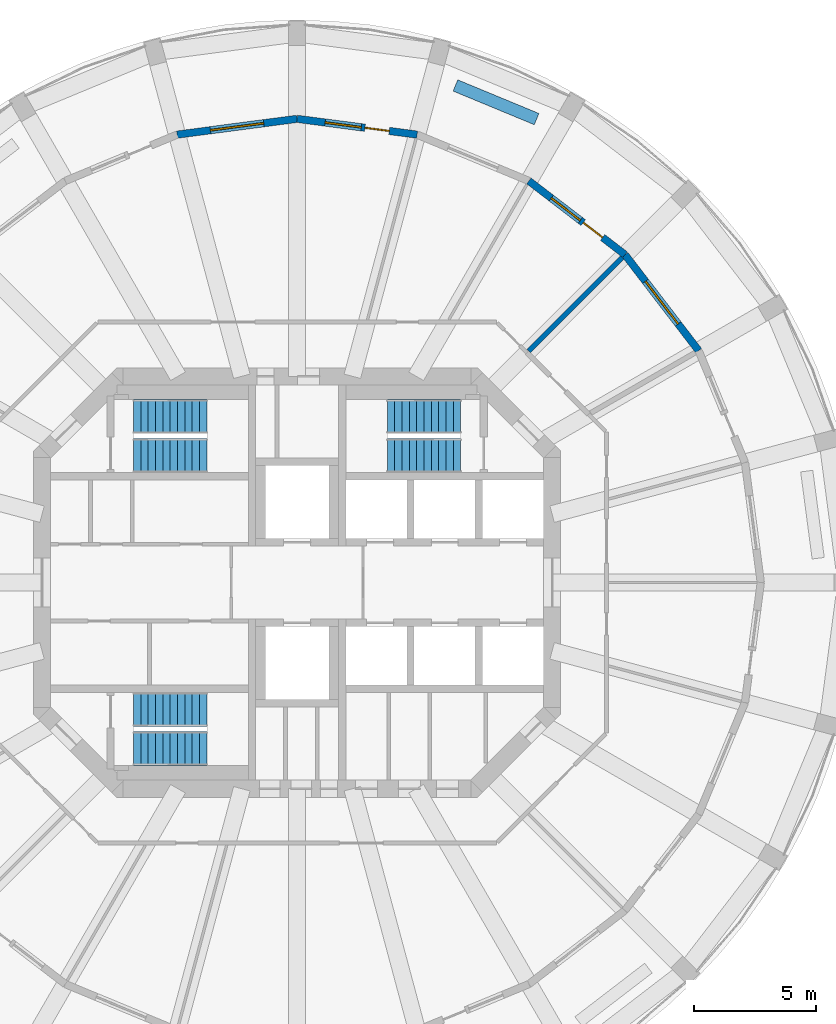
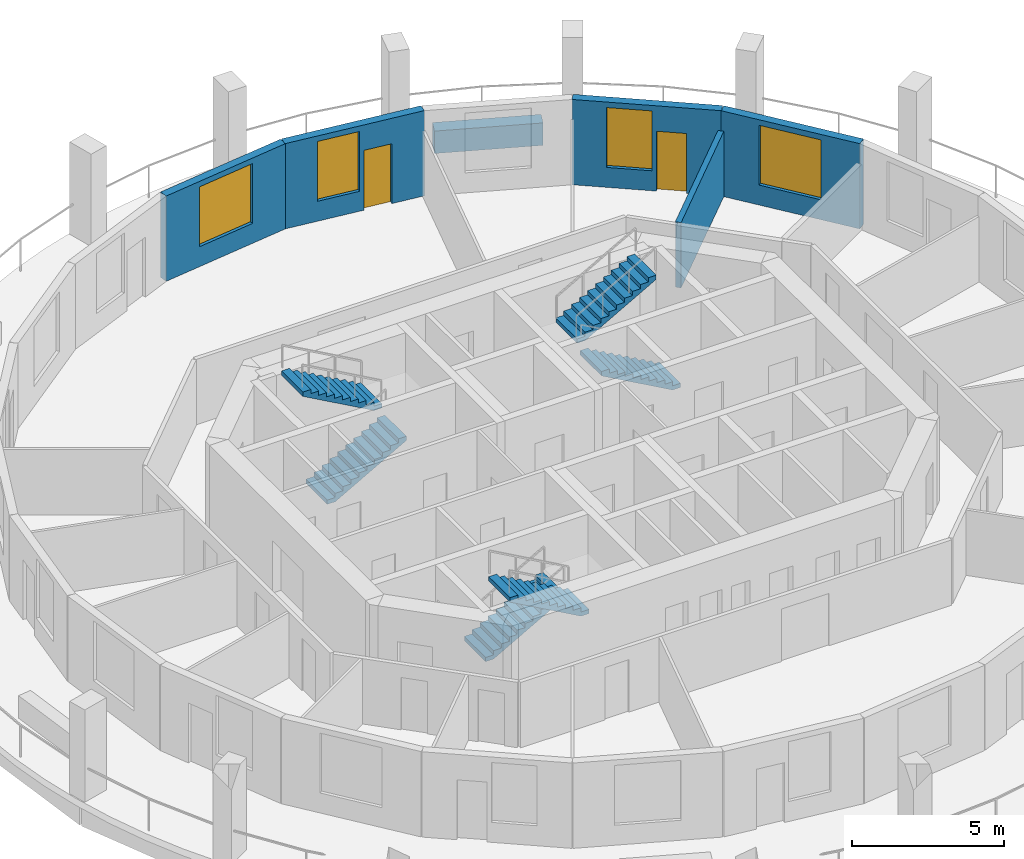
# One storey, part 7 of 9: 6 stair flights, 6 walls, 4 windows, 2 doors, 6 openings, 3 elements without a shape of their own.
"""IFC4 building model written with IfcOpenShell, lengths in metres."""

import ifcopenshell
import ifcopenshell.guid

model = None  # the IFC model being written
_history = None  # IfcOwnerHistory: only IFC2X3 demands one
_inside = {}  # id of a spatial element -> (the spatial element, [elements in it])
_under = {}  # id of a project, library or spatial element -> (it, [spatial elements below it])
_declared = {}  # id of a project -> (the project, [libraries it declares])
_typed = {}  # id of a type object -> (the type object, [elements of that type])
_made_of = {}  # id of a material, layer set ... -> (it, [elements and type objects made of it])


def new_model(schema):
    """Start an empty IFC model of exactly this schema.

    Asked for "IFC4X3", IfcOpenShell would pick the latest addendum, in which some entities
    have other attributes; the version numbers below select the first issue.
    IFC2X3 requires an IfcOwnerHistory on every rooted entity: one is made here for all.
    """
    global model, _history
    if schema == "IFC4X3":
        model = ifcopenshell.file(schema_version=(4, 3, 0, 0))
    else:
        model = ifcopenshell.file(schema=schema)
    _inside.clear()
    _under.clear()
    _declared.clear()
    _typed.clear()
    _made_of.clear()
    _history = None
    if model.schema == "IFC2X3":
        org = make("IfcOrganization", Name="unknown")
        user = make(
            "IfcPersonAndOrganization",
            ThePerson=make("IfcPerson", FamilyName="unknown"),
            TheOrganization=org,
        )
        app = make(
            "IfcApplication",
            ApplicationDeveloper=org,
            Version="unknown",
            ApplicationFullName="unknown",
            ApplicationIdentifier="unknown",
        )
        _history = make(
            "IfcOwnerHistory",
            OwningUser=user,
            OwningApplication=app,
            ChangeAction="ADDED",
            CreationDate=0,
        )
    return model


def make(cls, **values):
    """One entity of the class cls with the attributes given. An attribute that is None is left unset."""
    return model.create_entity(
        cls, **{name: value for name, value in values.items() if value is not None}
    )


def rooted(cls, **values):
    """An entity with a GlobalId (a new one), such as an element, a storey or a relation."""
    return make(cls, GlobalId=ifcopenshell.guid.new(), OwnerHistory=_history, **values)


def si_unit(unit_type, name, prefix=None):
    """IfcSIUnit, for example si_unit("LENGTHUNIT", "METRE", prefix="MILLI")."""
    return make("IfcSIUnit", UnitType=unit_type, Prefix=prefix, Name=name)


def assignment(units):
    """IfcUnitAssignment: the units of a project."""
    return None if units is None else make("IfcUnitAssignment", Units=units)


def point(xyz):
    """IfcCartesianPoint."""
    return None if xyz is None else make("IfcCartesianPoint", Coordinates=xyz)


def direction(xyz):
    """IfcDirection."""
    return None if xyz is None else make("IfcDirection", DirectionRatios=xyz)


def frame(location, z_axis=None, x_axis=None):
    """IfcAxis2Placement3D, a coordinate frame: its origin and axes. An axis left out is left unset."""
    return make(
        "IfcAxis2Placement3D",
        Location=point(location),
        Axis=direction(z_axis),
        RefDirection=direction(x_axis),
    )


def frame_2d(location, x_axis=None):
    """IfcAxis2Placement2D, a coordinate frame in the plane: its origin and x axis."""
    return make(
        "IfcAxis2Placement2D", Location=point(location), RefDirection=direction(x_axis)
    )


def origin():
    """The frame at (0, 0, 0) with its axes left unset."""
    return frame((0.0, 0.0, 0.0))


def place(relative_to, where):
    """IfcLocalPlacement: puts the frame where relative to a parent placement (None: the world)."""
    return make(
        "IfcLocalPlacement", PlacementRelTo=relative_to, RelativePlacement=where
    )


def context(
    kind, dimensions, precision=None, world=None, true_north=None, identifier=None
):
    """IfcGeometricRepresentationContext, for example the 3D "Model" context."""
    return make(
        "IfcGeometricRepresentationContext",
        ContextIdentifier=identifier,
        ContextType=kind,
        CoordinateSpaceDimension=dimensions,
        Precision=precision,
        WorldCoordinateSystem=world,
        TrueNorth=true_north,
    )


def subcontext(parent, identifier, kind, view, scale=None):
    """IfcGeometricRepresentationSubContext, for example "Body" below "Model"."""
    return make(
        "IfcGeometricRepresentationSubContext",
        ContextIdentifier=identifier,
        ContextType=kind,
        ParentContext=parent,
        TargetScale=scale,
        TargetView=view,
    )


def project(units=None, contexts=None):
    """IfcProject with its units and contexts."""
    return rooted(
        "IfcProject",
        Name="project",
        RepresentationContexts=contexts,
        UnitsInContext=assignment(units),
    )


def spatial(cls, under=None, at=None, **own):
    """A site, building, storey or space (cls), placed at a placement, below another one or the project."""
    s = rooted(cls, ObjectPlacement=at, **own)
    if under is not None:
        _under.setdefault(under.id(), (under, []))[1].append(s)
    return s


def polyline(points):
    """IfcPolyline through the points."""
    return make("IfcPolyline", Points=[point(p) for p in points])


def profile(cls, at=None, kind="AREA", **sizes):
    """A parametric profile (cls). Its sizes go by their IFC names, for example OverallWidth=200.0."""
    return make(cls, ProfileType=kind, Position=at, **sizes)


def rectangle(**sizes):
    """IfcRectangleProfileDef."""
    return profile("IfcRectangleProfileDef", **sizes)


def outline(outer, holes=None, kind="AREA"):
    """IfcArbitraryClosedProfileDef: a profile drawn as a closed curve; with holes, ...WithVoids."""
    if holes is None:
        return make("IfcArbitraryClosedProfileDef", ProfileType=kind, OuterCurve=outer)
    return make(
        "IfcArbitraryProfileDefWithVoids",
        ProfileType=kind,
        OuterCurve=outer,
        InnerCurves=holes,
    )


def extrude(swept, where, along, depth):
    """IfcExtrudedAreaSolid: the profile swept, set in the frame where, extruded along a direction by depth."""
    return make(
        "IfcExtrudedAreaSolid",
        SweptArea=swept,
        Position=where,
        ExtrudedDirection=direction(along),
        Depth=depth,
    )


def shape(context_of_items, identifier, shape_type, items):
    """IfcShapeRepresentation: the items that make up one representation, for example the "Body"."""
    return make(
        "IfcShapeRepresentation",
        ContextOfItems=context_of_items,
        RepresentationIdentifier=identifier,
        RepresentationType=shape_type,
        Items=items,
    )


def material(Name=None, Category=None):
    """IfcMaterial."""
    return make("IfcMaterial", Name=Name, Category=Category)


def layer(
    of_material, thickness, ventilated=None, Name=None, Category=None, Priority=None
):
    """IfcMaterialLayer: one layer of a wall or slab, of a material (None: an air gap)."""
    return make(
        "IfcMaterialLayer",
        Material=of_material,
        LayerThickness=thickness,
        IsVentilated=ventilated,
        Name=Name,
        Category=Category,
        Priority=Priority,
    )


def layer_set(layers, Name=None):
    """IfcMaterialLayerSet."""
    return make("IfcMaterialLayerSet", MaterialLayers=layers, LayerSetName=Name)


def made_of(thing, what):
    """Note that an element or type object is made of a material, layer set ...; save() writes the relation."""
    if what is not None:
        _made_of.setdefault(what.id(), (what, []))[1].append(thing)
    return thing


def type_object(cls, material=None, **own):
    """A type object (cls), such as IfcWallType, which elements share."""
    return made_of(rooted(cls, **own), material)


def element(
    cls,
    number,
    at=None,
    inside=None,
    cuts=None,
    type_object=None,
    material=None,
    context=None,
    identifier="Body",
    shape_type=None,
    held_by="IfcProductDefinitionShape",
    body=None,
    shapes=None,
    **own,
):
    """One element of the class cls, such as IfcWall. Its Tag is "e" and its number.

    at: its placement. inside: the storey or other place that contains it. cuts: it is an
    opening in that element (IfcRelVoidsElement). A single representation is given by context,
    identifier, shape_type and body (its items); several are given by shapes. held_by: the class
    of the entity that holds the representations. save() writes the other relations.
    """
    e = rooted(cls, Tag="e%d" % number, ObjectPlacement=at, **own)
    if body is not None:
        shapes = [shape(context, identifier, shape_type, body)]
    if shapes is not None:
        e.Representation = make(held_by, Representations=shapes)
    if inside is not None:
        _inside.setdefault(inside.id(), (inside, []))[1].append(e)
    if cuts is not None:
        rooted(
            "IfcRelVoidsElement", RelatingBuildingElement=cuts, RelatedOpeningElement=e
        )
    if type_object is not None:
        _typed.setdefault(type_object.id(), (type_object, []))[1].append(e)
    return made_of(e, material)


def fill(opening, filler):
    """IfcRelFillsElement: the door or window that sits in an opening."""
    return rooted(
        "IfcRelFillsElement",
        RelatingOpeningElement=opening,
        RelatedBuildingElement=filler,
    )


def aggregate(whole, parts):
    """IfcRelAggregates: a whole, such as a stair, and the parts it consists of."""
    return rooted("IfcRelAggregates", RelatingObject=whole, RelatedObjects=parts)


def save(model, path):
    """Write the relations noted so far, then the file.

    IfcRelAggregates (storeys below a building ...), IfcRelContainedInSpatialStructure (elements
    in a storey), IfcRelDefinesByType, IfcRelAssociatesMaterial and IfcRelDeclares: one each for
    every whole, place, type object, material and project.
    """
    for whole, parts in _under.values():
        aggregate(whole, parts)
    for where, things in _inside.values():
        rooted(
            "IfcRelContainedInSpatialStructure",
            RelatedElements=things,
            RelatingStructure=where,
        )
    for kind, things in _typed.values():
        rooted("IfcRelDefinesByType", RelatedObjects=things, RelatingType=kind)
    for what, things in _made_of.values():
        rooted("IfcRelAssociatesMaterial", RelatedObjects=things, RelatingMaterial=what)
    for by, libraries in _declared.values():
        rooted("IfcRelDeclares", RelatingContext=by, RelatedDefinitions=libraries)
    model.write(path)


model = new_model("IFC4")

# Units and contexts
model_context = context("Model", 3, precision=1e-05, world=origin(), true_north=direction((0.0, 1.0)))
body_context = subcontext(model_context, "Body", "Model", "MODEL_VIEW")
ifc_project = project(units=[si_unit("LENGTHUNIT", "METRE"), si_unit("AREAUNIT", "SQUARE_METRE"), si_unit("VOLUMEUNIT", "CUBIC_METRE"), si_unit("PLANEANGLEUNIT", "RADIAN"), si_unit("MASSUNIT", "GRAM", prefix="KILO")], contexts=[model_context])

# Site, building, storey
site_placement = place(None, origin())
site = spatial("IfcSite", under=ifc_project, at=site_placement, CompositionType="ELEMENT")
building_placement = place(site_placement, origin())
building = spatial("IfcBuilding", under=site, at=building_placement, Name="Torre Triforio", CompositionType="ELEMENT")
storey_placement = place(building_placement, frame((0.0, 0.0, 165.300048828125)))
storey = spatial("IfcBuildingStorey", under=building, at=storey_placement, Name="L37", CompositionType="ELEMENT", Elevation=165.300048828125)

# Walls
ifc_material_1 = material(Name="Masonry block", Category="masonry")
ifc_layer_1 = layer(ifc_material_1, 0.199951171875)
ifc_layer_set_1 = layer_set([ifc_layer_1], Name="Masonry block")
wall_type_1 = type_object("IfcWallType", Name="Plant room wall 200 mm block EI 120", PredefinedType="PARTITIONING", material=ifc_layer_set_1)
wall_1_placement = place(storey_placement, frame((9.491455078125, 9.491455078125, 0.0), z_axis=(0.0, 0.0, 1.0), x_axis=(0.707106781187, 0.707106781187, 0.0)))
element("IfcWall", 1, at=wall_1_placement, inside=storey, type_object=wall_type_1, Name="Partition 14", PredefinedType="PARTITIONING", context=body_context, shape_type="SweptSolid", body=[
    extrude(rectangle(XDim=5.413818359375, YDim=0.199951171875, at=frame_2d((2.70703125, 0.0))), origin(), (0.0, 0.0, 1.0), 2.619873046875),
])
ifc_material_2 = material(Name="Limestone cladding", Category="masonry")
ifc_layer_2 = layer(ifc_material_2, 0.10009765625)
ifc_material_3 = material(Name="Concrete C40", Category="concrete")
ifc_layer_3 = layer(ifc_material_3, 0.39990234375)
ifc_layer_set_2 = layer_set([ifc_layer_2, ifc_layer_3], Name="Limestone cladding / Concrete C40")
wall_type_2 = type_object("IfcWallType", Name="Planter wall 500", PredefinedType="PARAPET", material=ifc_layer_set_2)
wall_2_placement = place(storey_placement, frame((9.814208984375, 18.98974609375, 0.0), z_axis=(0.0, 0.0, 1.0), x_axis=(-0.923875488976, 0.382693194178, 0.0)))
element("IfcWall", 2, at=wall_2_placement, inside=storey, type_object=wall_type_2, Name="Planter L37 bay 05", PredefinedType="PARAPET", context=body_context, shape_type="SweptSolid", body=[
    extrude(rectangle(XDim=3.599853515625, YDim=0.5, at=frame_2d((1.7998046875, 0.0))), origin(), (0.0, 0.0, 1.0), 0.89990234375),
])

# Wall, opening, window
ifc_layer_4 = layer(ifc_material_2, 0.10009765625)
ifc_layer_5 = layer(ifc_material_3, 0.199951171875)
ifc_layer_set_3 = layer_set([ifc_layer_4, ifc_layer_5], Name="Limestone cladding / Concrete C40")
wall_type_3 = type_object("IfcWallType", Name="Stone-faced composite wall 300", PredefinedType="STANDARD", material=ifc_layer_set_3)
wall_3_placement = place(storey_placement, frame((16.45458984375, 9.5, 0.0), z_axis=(0.0, 0.0, 1.0), x_axis=(-0.608768356425, 0.793348024649, 0.0)))
wall_3 = element("IfcWall", 3, at=wall_3_placement, inside=storey, type_object=wall_type_3, Name="External wall L37 bay 03", PredefinedType="STANDARD", context=body_context, shape_type="SweptSolid", body=[
    extrude(rectangle(XDim=4.9599609375, YDim=0.300048828125, at=frame_2d((2.47998046875, 0.0))), origin(), (0.0, 0.0, 1.0), 3.419921875),
])
opening_1_placement = place(wall_3_placement, frame((1.3798828125, 0.0, 0.800048828125)))
opening_1 = element("IfcOpeningElement", 4, at=opening_1_placement, cuts=wall_3, Name="Opening O2-W03", PredefinedType="OPENING", context=body_context, shape_type="SweptSolid", body=[
    extrude(rectangle(XDim=2.199951171875, YDim=2.39990234375, at=frame_2d((1.10009765625, 1.199951171875))), frame((0.0, 0.159912109375, 0.0), z_axis=(0.0, -1.0, 0.0), x_axis=(1.0, 0.0, 0.0)), (0.0, 0.0, 1.0), 0.320068359375),
])
ifc_material_4 = material(Name="Aluminium frame with clear double glazing", Category="aluminium")
window_type_1 = type_object("IfcWindowType", Name="Punched window 2200 x 2400", PartitioningType="DOUBLE_PANEL_VERTICAL", PredefinedType="WINDOW", material=ifc_material_4)
window_1_placement = place(opening_1_placement, origin())
window_1 = element("IfcWindow", 5, at=window_1_placement, inside=storey, type_object=window_type_1, Name="Window EWN5 L37 bay 03", OverallHeight=2.39990234375, OverallWidth=2.199951171875, PartitioningType="SINGLE_PANEL", PredefinedType="WINDOW", context=body_context, shape_type="SweptSolid", body=[
    extrude(rectangle(XDim=2.199951171875, YDim=2.39990234375, at=frame_2d((1.10009765625, 1.199951171875))), frame((0.0, 0.030029296875, 0.0), z_axis=(0.0, -1.0, 0.0), x_axis=(1.0, 0.0, 0.0)), (0.0, 0.0, 1.0), 0.06005859375),
])
fill(opening_1, window_1)

# Wall, openings, door, window
wall_4_placement = place(storey_placement, frame((13.43505859375, 13.43505859375, 0.0), z_axis=(0.0, 0.0, 1.0), x_axis=(-0.793348024649, 0.608768356425, 0.0)))
wall_4 = element("IfcWall", 6, at=wall_4_placement, inside=storey, type_object=wall_type_3, Name="External wall L37 bay 04", PredefinedType="STANDARD", context=body_context, shape_type="SweptSolid", body=[
    extrude(rectangle(XDim=4.9599609375, YDim=0.300048828125, at=frame_2d((2.47998046875, 0.0))), origin(), (0.0, 0.0, 1.0), 3.419921875),
])
opening_2_placement = place(wall_4_placement, frame((1.155029296875, 0.0, 0.0)))
opening_2 = element("IfcOpeningElement", 7, at=opening_2_placement, cuts=wall_4, Name="Opening O2-D04", PredefinedType="OPENING", context=body_context, shape_type="SweptSolid", body=[
    extrude(rectangle(XDim=1.0, YDim=2.39990234375, at=frame_2d((0.5, 1.199951171875))), frame((0.0, 0.159912109375, 0.0), z_axis=(0.0, -1.0, 0.0), x_axis=(1.0, 0.0, 0.0)), (0.0, 0.0, 1.0), 0.320068359375),
])
opening_3_placement = place(wall_4_placement, frame((2.304931640625, 0.0, 0.800048828125)))
opening_3 = element("IfcOpeningElement", 8, at=opening_3_placement, cuts=wall_4, Name="Opening O2-W04A", PredefinedType="OPENING", context=body_context, shape_type="SweptSolid", body=[
    extrude(rectangle(XDim=1.5, YDim=2.39990234375, at=frame_2d((0.75, 1.199951171875))), frame((0.0, 0.159912109375, 0.0), z_axis=(0.0, -1.0, 0.0), x_axis=(1.0, 0.0, 0.0)), (0.0, 0.0, 1.0), 0.320068359375),
])
door_type = type_object("IfcDoorType", Name="Loggia door 1000 x 2400", OperationType="NOTDEFINED", PredefinedType="DOOR", material=ifc_material_4)
door_1_placement = place(opening_2_placement, origin())
door_1 = element("IfcDoor", 9, at=door_1_placement, inside=storey, type_object=door_type, Name="Loggia door L37 bay 04", OperationType="SINGLE_SWING_LEFT", OverallHeight=2.39990234375, OverallWidth=1.0, PredefinedType="DOOR", context=body_context, shape_type="SweptSolid", body=[
    extrude(rectangle(XDim=1.0, YDim=2.39990234375, at=frame_2d((0.5, 1.199951171875))), frame((0.0, 0.02490234375, 0.0), z_axis=(0.0, -1.0, 0.0), x_axis=(1.0, 0.0, 0.0)), (0.0, 0.0, 1.0), 0.050048828125),
])
fill(opening_2, door_1)
window_type_2 = type_object("IfcWindowType", Name="Side window 1500 x 2400", PartitioningType="SINGLE_PANEL", PredefinedType="WINDOW", material=ifc_material_4)
window_2_placement = place(opening_3_placement, origin())
window_2 = element("IfcWindow", 10, at=window_2_placement, inside=storey, type_object=window_type_2, Name="Side window EWN14 L37 bay 04", OverallHeight=2.39990234375, OverallWidth=1.5, PartitioningType="SINGLE_PANEL", PredefinedType="WINDOW", context=body_context, shape_type="SweptSolid", body=[
    extrude(rectangle(XDim=1.5, YDim=2.39990234375, at=frame_2d((0.75, 1.199951171875))), frame((0.0, 0.030029296875, 0.0), z_axis=(0.0, -1.0, 0.0), x_axis=(1.0, 0.0, 0.0)), (0.0, 0.0, 1.0), 0.06005859375),
])
fill(opening_3, window_2)

wall_5_placement = place(storey_placement, frame((4.91748046875, 18.3525390625, 0.0), z_axis=(0.0, 0.0, 1.0), x_axis=(-0.991443234469, 0.130538549191, 0.0)))
wall_5 = element("IfcWall", 11, at=wall_5_placement, inside=storey, type_object=wall_type_3, Name="External wall L37 bay 06", PredefinedType="STANDARD", context=body_context, shape_type="SweptSolid", body=[
    extrude(rectangle(XDim=4.9599609375, YDim=0.300048828125, at=frame_2d((2.47998046875, 0.0))), origin(), (0.0, 0.0, 1.0), 3.419921875),
])
opening_4_placement = place(wall_5_placement, frame((1.155029296875, 0.0, 0.0)))
opening_4 = element("IfcOpeningElement", 12, at=opening_4_placement, cuts=wall_5, Name="Opening O2-D06", PredefinedType="OPENING", context=body_context, shape_type="SweptSolid", body=[
    extrude(rectangle(XDim=1.0, YDim=2.39990234375, at=frame_2d((0.5, 1.199951171875))), frame((0.0, 0.159912109375, 0.0), z_axis=(0.0, -1.0, 0.0), x_axis=(1.0, 0.0, 0.0)), (0.0, 0.0, 1.0), 0.320068359375),
])
opening_5_placement = place(wall_5_placement, frame((2.304931640625, 0.0, 0.800048828125)))
opening_5 = element("IfcOpeningElement", 13, at=opening_5_placement, cuts=wall_5, Name="Opening O2-W06A", PredefinedType="OPENING", context=body_context, shape_type="SweptSolid", body=[
    extrude(rectangle(XDim=1.5, YDim=2.39990234375, at=frame_2d((0.75, 1.199951171875))), frame((0.0, 0.159912109375, 0.0), z_axis=(0.0, -1.0, 0.0), x_axis=(1.0, 0.0, 0.0)), (0.0, 0.0, 1.0), 0.320068359375),
])
door_2_placement = place(opening_4_placement, origin())
door_2 = element("IfcDoor", 14, at=door_2_placement, inside=storey, type_object=door_type, Name="Loggia door L37 bay 06", OperationType="SINGLE_SWING_LEFT", OverallHeight=2.39990234375, OverallWidth=1.0, PredefinedType="DOOR", context=body_context, shape_type="SweptSolid", body=[
    extrude(rectangle(XDim=1.0, YDim=2.39990234375, at=frame_2d((0.5, 1.199951171875))), frame((0.0, 0.02490234375, 0.0), z_axis=(0.0, -1.0, 0.0), x_axis=(1.0, 0.0, 0.0)), (0.0, 0.0, 1.0), 0.050048828125),
])
fill(opening_4, door_2)
window_3_placement = place(opening_5_placement, origin())
window_3 = element("IfcWindow", 15, at=window_3_placement, inside=storey, type_object=window_type_2, Name="Side window EWN14 L37 bay 06", OverallHeight=2.39990234375, OverallWidth=1.5, PartitioningType="SINGLE_PANEL", PredefinedType="WINDOW", context=body_context, shape_type="SweptSolid", body=[
    extrude(rectangle(XDim=1.5, YDim=2.39990234375, at=frame_2d((0.75, 1.199951171875))), frame((0.0, 0.030029296875, 0.0), z_axis=(0.0, -1.0, 0.0), x_axis=(1.0, 0.0, 0.0)), (0.0, 0.0, 1.0), 0.06005859375),
])
fill(opening_5, window_3)

# Wall, opening, window
wall_6_placement = place(storey_placement, frame((0.0, 19.0, 0.0), z_axis=(0.0, 0.0, 1.0), x_axis=(-0.991443234469, -0.130538549191, 0.0)))
wall_6 = element("IfcWall", 16, at=wall_6_placement, inside=storey, type_object=wall_type_3, Name="External wall L37 bay 07", PredefinedType="STANDARD", context=body_context, shape_type="SweptSolid", body=[
    extrude(rectangle(XDim=4.9599609375, YDim=0.300048828125, at=frame_2d((2.47998046875, 0.0))), origin(), (0.0, 0.0, 1.0), 3.419921875),
])
opening_6_placement = place(wall_6_placement, frame((1.3798828125, 0.0, 0.800048828125)))
opening_6 = element("IfcOpeningElement", 17, at=opening_6_placement, cuts=wall_6, Name="Opening O2-W07", PredefinedType="OPENING", context=body_context, shape_type="SweptSolid", body=[
    extrude(rectangle(XDim=2.199951171875, YDim=2.39990234375, at=frame_2d((1.10009765625, 1.199951171875))), frame((0.0, 0.159912109375, 0.0), z_axis=(0.0, -1.0, 0.0), x_axis=(1.0, 0.0, 0.0)), (0.0, 0.0, 1.0), 0.320068359375),
])
window_4_placement = place(opening_6_placement, origin())
window_4 = element("IfcWindow", 18, at=window_4_placement, inside=storey, type_object=window_type_1, Name="Window EWN5 L37 bay 07", OverallHeight=2.39990234375, OverallWidth=2.199951171875, PartitioningType="SINGLE_PANEL", PredefinedType="WINDOW", context=body_context, shape_type="SweptSolid", body=[
    extrude(rectangle(XDim=2.199951171875, YDim=2.39990234375, at=frame_2d((1.10009765625, 1.199951171875))), frame((0.0, 0.030029296875, 0.0), z_axis=(0.0, -1.0, 0.0), x_axis=(1.0, 0.0, 0.0)), (0.0, 0.0, 1.0), 0.06005859375),
])
fill(opening_6, window_4)

# Stair, stair flights
stair_type = type_object("IfcStairType", Name="STAIR HALF-TURN", PredefinedType="HALF_TURN_STAIR", material=ifc_material_3)
stair_1_placement = place(storey_placement, origin())
stair_1 = element("IfcStair", 19, at=stair_1_placement, inside=storey, type_object=stair_type, Name="Exit stair 1", PredefinedType="HALF_TURN_STAIR")
stair_flight_type = type_object("IfcStairFlightType", Name="STAIR FLIGHT 1400", PredefinedType="STRAIGHT", material=ifc_material_3)
stair_flight_1_placement = place(storey_placement, frame((-6.699951171875, 5.199951171875, 0.0), z_axis=(0.0, 0.0, 1.0), x_axis=(1.0, 0.0, 0.0)))
stair_flight_1 = element("IfcStairFlight", 20, at=stair_flight_1_placement, type_object=stair_flight_type, Name="ST1 flight 1", NumberOfRisers=11, NumberOfTreads=10, PredefinedType="STRAIGHT", RiserHeight=0.168181818, TreadLength=0.3, context=body_context, shape_type="SweptSolid", body=[
    extrude(outline(polyline([(0.0, 0.0), (0.0, 0.168212890625), (0.300048828125, 0.168212890625), (0.300048828125, 0.33642578125), (0.60009765625, 0.33642578125), (0.60009765625, 0.504638671875), (0.89990234375, 0.504638671875), (0.89990234375, 0.672607421875), (1.199951171875, 0.672607421875), (1.199951171875, 0.8408203125), (1.5, 0.8408203125), (1.5, 1.009033203125), (1.800048828125, 1.009033203125), (1.800048828125, 1.17724609375), (2.10009765625, 1.17724609375), (2.10009765625, 1.345458984375), (2.39990234375, 1.345458984375), (2.39990234375, 1.513671875), (2.699951171875, 1.513671875), (2.699951171875, 1.681884765625), (3.0, 1.681884765625), (3.0, 1.85009765625), (3.0, 1.510009765625), (0.306640625, 0.0), (0.0, 0.0)])), frame((0.0, 0.699951171875, 0.0), z_axis=(0.0, -1.0, 0.0), x_axis=(1.0, 0.0, 0.0)), (0.0, 0.0, 1.0), 1.39990234375),
])
stair_flight_2_placement = place(storey_placement, frame((-3.699951171875, 6.800048828125, 1.849853515625), z_axis=(0.0, 0.0, 1.0), x_axis=(-1.0, 0.0, 0.0)))
stair_flight_2 = element("IfcStairFlight", 21, at=stair_flight_2_placement, type_object=stair_flight_type, Name="ST1 flight 2", NumberOfRisers=11, NumberOfTreads=10, PredefinedType="STRAIGHT", RiserHeight=0.168181818, TreadLength=0.3, context=body_context, shape_type="SweptSolid", body=[
    extrude(outline(polyline([(0.0, 0.0), (0.0, 0.168212890625), (0.300048828125, 0.168212890625), (0.300048828125, 0.33642578125), (0.60009765625, 0.33642578125), (0.60009765625, 0.504638671875), (0.89990234375, 0.504638671875), (0.89990234375, 0.672607421875), (1.199951171875, 0.672607421875), (1.199951171875, 0.8408203125), (1.5, 0.8408203125), (1.5, 1.009033203125), (1.800048828125, 1.009033203125), (1.800048828125, 1.17724609375), (2.10009765625, 1.17724609375), (2.10009765625, 1.345458984375), (2.39990234375, 1.345458984375), (2.39990234375, 1.513671875), (2.699951171875, 1.513671875), (2.699951171875, 1.681884765625), (3.0, 1.681884765625), (3.0, 1.85009765625), (3.0, 1.510009765625), (0.306640625, 0.0), (0.0, 0.0)])), frame((0.0, 0.699951171875, 0.0), z_axis=(0.0, -1.0, 0.0), x_axis=(1.0, 0.0, 0.0)), (0.0, 0.0, 1.0), 1.39990234375),
])
aggregate(stair_1, [stair_flight_1, stair_flight_2])

stair_2_placement = place(storey_placement, origin())
stair_2 = element("IfcStair", 22, at=stair_2_placement, inside=storey, type_object=stair_type, Name="Exit stair 2", PredefinedType="HALF_TURN_STAIR")
stair_flight_3_placement = place(storey_placement, frame((6.699951171875, 5.199951171875, 0.0), z_axis=(0.0, 0.0, 1.0), x_axis=(-1.0, 0.0, 0.0)))
stair_flight_3 = element("IfcStairFlight", 23, at=stair_flight_3_placement, type_object=stair_flight_type, Name="ST2 flight 1", NumberOfRisers=11, NumberOfTreads=10, PredefinedType="STRAIGHT", RiserHeight=0.168181818, TreadLength=0.3, context=body_context, shape_type="SweptSolid", body=[
    extrude(outline(polyline([(0.0, 0.0), (0.0, 0.168212890625), (0.300048828125, 0.168212890625), (0.300048828125, 0.33642578125), (0.60009765625, 0.33642578125), (0.60009765625, 0.504638671875), (0.89990234375, 0.504638671875), (0.89990234375, 0.672607421875), (1.199951171875, 0.672607421875), (1.199951171875, 0.8408203125), (1.5, 0.8408203125), (1.5, 1.009033203125), (1.800048828125, 1.009033203125), (1.800048828125, 1.17724609375), (2.10009765625, 1.17724609375), (2.10009765625, 1.345458984375), (2.39990234375, 1.345458984375), (2.39990234375, 1.513671875), (2.699951171875, 1.513671875), (2.699951171875, 1.681884765625), (3.0, 1.681884765625), (3.0, 1.85009765625), (3.0, 1.510009765625), (0.306640625, 0.0), (0.0, 0.0)])), frame((0.0, 0.699951171875, 0.0), z_axis=(0.0, -1.0, 0.0), x_axis=(1.0, 0.0, 0.0)), (0.0, 0.0, 1.0), 1.39990234375),
])
stair_flight_4_placement = place(storey_placement, frame((3.699951171875, 6.800048828125, 1.849853515625), z_axis=(0.0, 0.0, 1.0), x_axis=(1.0, 0.0, 0.0)))
stair_flight_4 = element("IfcStairFlight", 24, at=stair_flight_4_placement, type_object=stair_flight_type, Name="ST2 flight 2", NumberOfRisers=11, NumberOfTreads=10, PredefinedType="STRAIGHT", RiserHeight=0.168181818, TreadLength=0.3, context=body_context, shape_type="SweptSolid", body=[
    extrude(outline(polyline([(0.0, 0.0), (0.0, 0.168212890625), (0.300048828125, 0.168212890625), (0.300048828125, 0.33642578125), (0.60009765625, 0.33642578125), (0.60009765625, 0.504638671875), (0.89990234375, 0.504638671875), (0.89990234375, 0.672607421875), (1.199951171875, 0.672607421875), (1.199951171875, 0.8408203125), (1.5, 0.8408203125), (1.5, 1.009033203125), (1.800048828125, 1.009033203125), (1.800048828125, 1.17724609375), (2.10009765625, 1.17724609375), (2.10009765625, 1.345458984375), (2.39990234375, 1.345458984375), (2.39990234375, 1.513671875), (2.699951171875, 1.513671875), (2.699951171875, 1.681884765625), (3.0, 1.681884765625), (3.0, 1.85009765625), (3.0, 1.510009765625), (0.306640625, 0.0), (0.0, 0.0)])), frame((0.0, 0.699951171875, 0.0), z_axis=(0.0, -1.0, 0.0), x_axis=(1.0, 0.0, 0.0)), (0.0, 0.0, 1.0), 1.39990234375),
])
aggregate(stair_2, [stair_flight_3, stair_flight_4])

stair_3_placement = place(storey_placement, origin())
stair_3 = element("IfcStair", 25, at=stair_3_placement, inside=storey, type_object=stair_type, Name="Exit stair 3", PredefinedType="HALF_TURN_STAIR")
stair_flight_5_placement = place(storey_placement, frame((-6.699951171875, -5.199951171875, 0.0), z_axis=(0.0, 0.0, 1.0), x_axis=(1.0, 0.0, 0.0)))
stair_flight_5 = element("IfcStairFlight", 26, at=stair_flight_5_placement, type_object=stair_flight_type, Name="ST3 flight 1", NumberOfRisers=11, NumberOfTreads=10, PredefinedType="STRAIGHT", RiserHeight=0.168181818, TreadLength=0.3, context=body_context, shape_type="SweptSolid", body=[
    extrude(outline(polyline([(0.0, 0.0), (0.0, 0.168212890625), (0.300048828125, 0.168212890625), (0.300048828125, 0.33642578125), (0.60009765625, 0.33642578125), (0.60009765625, 0.504638671875), (0.89990234375, 0.504638671875), (0.89990234375, 0.672607421875), (1.199951171875, 0.672607421875), (1.199951171875, 0.8408203125), (1.5, 0.8408203125), (1.5, 1.009033203125), (1.800048828125, 1.009033203125), (1.800048828125, 1.17724609375), (2.10009765625, 1.17724609375), (2.10009765625, 1.345458984375), (2.39990234375, 1.345458984375), (2.39990234375, 1.513671875), (2.699951171875, 1.513671875), (2.699951171875, 1.681884765625), (3.0, 1.681884765625), (3.0, 1.85009765625), (3.0, 1.510009765625), (0.306640625, 0.0), (0.0, 0.0)])), frame((0.0, 0.699951171875, 0.0), z_axis=(0.0, -1.0, 0.0), x_axis=(1.0, 0.0, 0.0)), (0.0, 0.0, 1.0), 1.39990234375),
])
stair_flight_6_placement = place(storey_placement, frame((-3.699951171875, -6.800048828125, 1.849853515625), z_axis=(0.0, 0.0, 1.0), x_axis=(-1.0, 0.0, 0.0)))
stair_flight_6 = element("IfcStairFlight", 27, at=stair_flight_6_placement, type_object=stair_flight_type, Name="ST3 flight 2", NumberOfRisers=11, NumberOfTreads=10, PredefinedType="STRAIGHT", RiserHeight=0.168181818, TreadLength=0.3, context=body_context, shape_type="SweptSolid", body=[
    extrude(outline(polyline([(0.0, 0.0), (0.0, 0.168212890625), (0.300048828125, 0.168212890625), (0.300048828125, 0.33642578125), (0.60009765625, 0.33642578125), (0.60009765625, 0.504638671875), (0.89990234375, 0.504638671875), (0.89990234375, 0.672607421875), (1.199951171875, 0.672607421875), (1.199951171875, 0.8408203125), (1.5, 0.8408203125), (1.5, 1.009033203125), (1.800048828125, 1.009033203125), (1.800048828125, 1.17724609375), (2.10009765625, 1.17724609375), (2.10009765625, 1.345458984375), (2.39990234375, 1.345458984375), (2.39990234375, 1.513671875), (2.699951171875, 1.513671875), (2.699951171875, 1.681884765625), (3.0, 1.681884765625), (3.0, 1.85009765625), (3.0, 1.510009765625), (0.306640625, 0.0), (0.0, 0.0)])), frame((0.0, 0.699951171875, 0.0), z_axis=(0.0, -1.0, 0.0), x_axis=(1.0, 0.0, 0.0)), (0.0, 0.0, 1.0), 1.39990234375),
])
aggregate(stair_3, [stair_flight_5, stair_flight_6])

save(model, "model.ifc")
